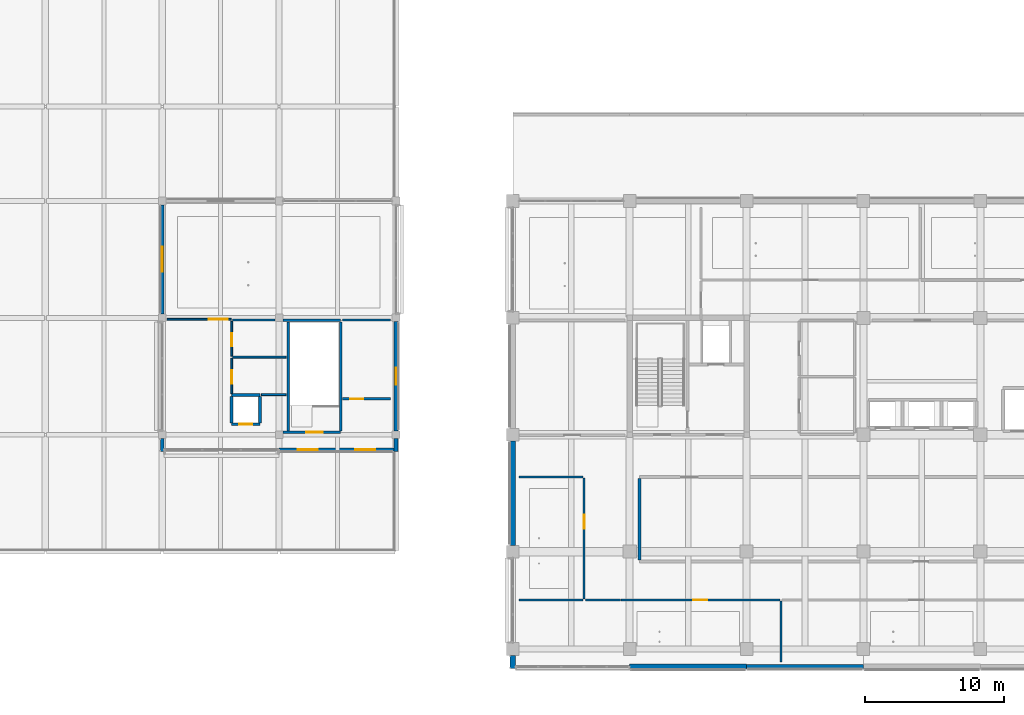
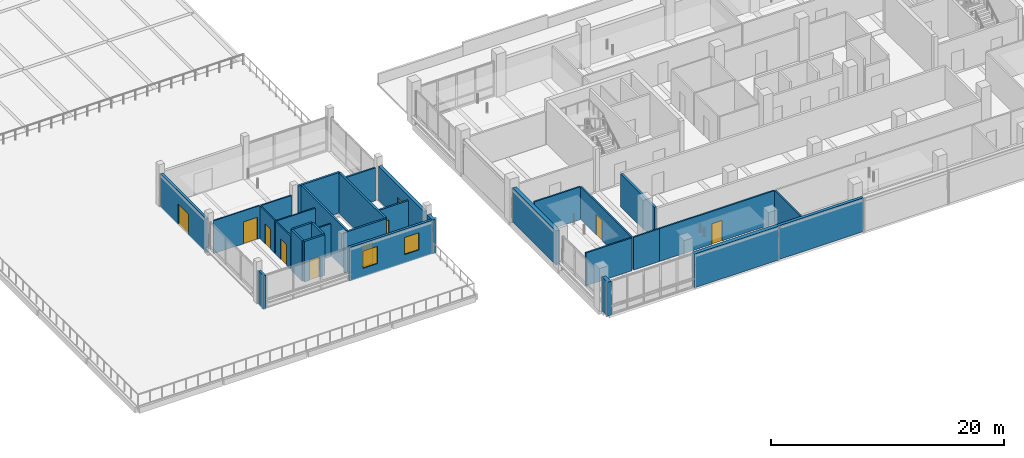
# One storey, part 20 of 59: 32 walls, 9 doors, 3 windows, 12 openings.
"""IFC4 building model written with IfcOpenShell, lengths in metres."""

from ifc_helpers import new_model, si_unit, direction, frame, frame_2d, origin, place, context, subcontext, project, spatial, rectangle, extrude, material, layer, layer_set, type_object, element, fill, save


model = new_model("IFC4")

# Units and contexts
model_context = context("Model", 3, precision=1e-05, world=origin(), true_north=direction((0.0, 1.0)))
body_context = subcontext(model_context, "Body", "Model", "MODEL_VIEW")
ifc_project = project(units=[si_unit("LENGTHUNIT", "METRE"), si_unit("AREAUNIT", "SQUARE_METRE"), si_unit("VOLUMEUNIT", "CUBIC_METRE"), si_unit("PLANEANGLEUNIT", "RADIAN"), si_unit("MASSUNIT", "GRAM", prefix="KILO")], contexts=[model_context])

# Site, building, storey
site_placement = place(None, origin())
site = spatial("IfcSite", under=ifc_project, at=site_placement, CompositionType="ELEMENT")
building_placement = place(site_placement, origin())
building = spatial("IfcBuilding", under=site, at=building_placement, Name="Telukmera Botanical Conservatory", CompositionType="ELEMENT")
storey_placement = place(building_placement, frame((0.0, 0.0, 15.0)))
storey = spatial("IfcBuildingStorey", under=building, at=storey_placement, Name="L03", CompositionType="ELEMENT", Elevation=15.0)

# Wall
ifc_material_1 = material(Name="Precast concrete C40/50", Category="concrete")
ifc_layer_1 = layer(ifc_material_1, 0.239990234375)
ifc_layer_set_1 = layer_set([ifc_layer_1], Name="Precast concrete C40/50")
wall_type_1 = type_object("IfcWallType", Name="Exterior Colonnade Recessed Precast Wall 240", PredefinedType="SOLIDWALL", material=ifc_layer_set_1)
wall_1_placement = place(storey_placement, frame((25.199951171875, 24.800048828125, 0.0), z_axis=(0.0, 0.0, 1.0), x_axis=(0.0, 1.0, 0.0)))
element("IfcWall", 1, at=wall_1_placement, inside=storey, type_object=wall_type_1, Name="Exterior Precast Wall EW05 V3:L03:SWC", PredefinedType="SOLIDWALL", context=body_context, shape_type="SweptSolid", body=[
    extrude(rectangle(XDim=0.9228515625, YDim=0.239990234375, at=frame_2d((0.46142578125, 0.0))), origin(), (0.0, 0.0, 1.0), 3.550048828125),
])

# Wall, openings, windows
wall_2_placement = place(storey_placement, frame((33.60205078125, 24.919921875, 0.0), z_axis=(0.0, 0.0, 1.0), x_axis=(1.0, 0.0, 0.0)))
wall_2 = element("IfcWall", 2, at=wall_2_placement, inside=storey, type_object=wall_type_1, Name="Exterior Precast Wall EW05 V3:L03:S2", PredefinedType="SOLIDWALL", context=body_context, shape_type="SweptSolid", body=[
    extrude(rectangle(XDim=8.245849609375, YDim=0.239990234375, at=frame_2d((4.123046875, 0.0))), origin(), (0.0, 0.0, 1.0), 3.550048828125),
])
opening_1_placement = place(wall_2_placement, frame((1.33642578125, 0.0, 0.89990234375)))
opening_1 = element("IfcOpeningElement", 3, at=opening_1_placement, cuts=wall_2, Name="Opening W09", PredefinedType="OPENING", context=body_context, shape_type="SweptSolid", body=[
    extrude(rectangle(XDim=1.449951171875, YDim=1.800048828125, at=frame_2d((0.72509765625, 0.89990234375))), frame((0.0, 0.1298828125, 0.0), z_axis=(0.0, -1.0, 0.0), x_axis=(1.0, 0.0, 0.0)), (0.0, 0.0, 1.0), 0.260009765625),
])
opening_2_placement = place(wall_2_placement, frame((5.45947265625, 0.0, 0.89990234375)))
opening_2 = element("IfcOpeningElement", 4, at=opening_2_placement, cuts=wall_2, Name="Opening W09", PredefinedType="OPENING", context=body_context, shape_type="SweptSolid", body=[
    extrude(rectangle(XDim=1.449951171875, YDim=1.800048828125, at=frame_2d((0.72509765625, 0.89990234375))), frame((0.0, 0.1298828125, 0.0), z_axis=(0.0, -1.0, 0.0), x_axis=(1.0, 0.0, 0.0)), (0.0, 0.0, 1.0), 0.260009765625),
])
ifc_material_2 = material(Name="Thermally broken anodised aluminium frame with low-E double glazing", Category="aluminium")
window_type_1 = type_object("IfcWindowType", Name="Double Horizontal Transom Studio Window 1450x1800", PartitioningType="DOUBLE_PANEL_HORIZONTAL", PredefinedType="WINDOW", material=ifc_material_2)
window_1_placement = place(opening_1_placement, origin())
window_1 = element("IfcWindow", 5, at=window_1_placement, inside=storey, type_object=window_type_1, Name="Facade Window W09 V3:L03:S2 1", OverallHeight=1.800048828125, OverallWidth=1.449951171875, PartitioningType="DOUBLE_PANEL_HORIZONTAL", PredefinedType="WINDOW", context=body_context, shape_type="SweptSolid", body=[
    extrude(rectangle(XDim=1.449951171875, YDim=1.800048828125, at=frame_2d((0.72509765625, 0.89990234375))), frame((0.0, 0.030029296875, 0.0), z_axis=(0.0, -1.0, 0.0), x_axis=(1.0, 0.0, 0.0)), (0.0, 0.0, 1.0), 0.06005859375),
])
fill(opening_1, window_1)
window_2_placement = place(opening_2_placement, origin())
window_2 = element("IfcWindow", 6, at=window_2_placement, inside=storey, type_object=window_type_1, Name="Facade Window W09 V3:L03:S2 2", OverallHeight=1.800048828125, OverallWidth=1.449951171875, PartitioningType="DOUBLE_PANEL_HORIZONTAL", PredefinedType="WINDOW", context=body_context, shape_type="SweptSolid", body=[
    extrude(rectangle(XDim=1.449951171875, YDim=1.800048828125, at=frame_2d((0.72509765625, 0.89990234375))), frame((0.0, 0.030029296875, 0.0), z_axis=(0.0, -1.0, 0.0), x_axis=(1.0, 0.0, 0.0)), (0.0, 0.0, 1.0), 0.06005859375),
])
fill(opening_2, window_2)

# Wall, opening, door
wall_3_placement = place(storey_placement, frame((25.199951171875, 34.677001953125, 0.0), z_axis=(0.0, 0.0, 1.0), x_axis=(0.0, 1.0, 0.0)))
wall_3 = element("IfcWall", 7, at=wall_3_placement, inside=storey, type_object=wall_type_1, Name="Exterior Precast Wall EW05 V3:L03:W2", PredefinedType="SOLIDWALL", context=body_context, shape_type="SweptSolid", body=[
    extrude(rectangle(XDim=7.845947265625, YDim=0.239990234375, at=frame_2d((3.9228515625, 0.0))), origin(), (0.0, 0.0, 1.0), 3.550048828125),
])
opening_3_placement = place(wall_3_placement, frame((3.02294921875, 0.0, 0.0)))
opening_3 = element("IfcOpeningElement", 8, at=opening_3_placement, cuts=wall_3, Name="Opening DT301", PredefinedType="OPENING", context=body_context, shape_type="SweptSolid", body=[
    extrude(rectangle(XDim=1.800048828125, YDim=2.199951171875, at=frame_2d((0.89990234375, 1.10009765625))), frame((0.0, 0.1298828125, 0.0), z_axis=(0.0, -1.0, 0.0), x_axis=(1.0, 0.0, 0.0)), (0.0, 0.0, 1.0), 0.260009765625),
])
ifc_material_3 = material(Name="Thermally broken anodised aluminium glazed door assembly", Category="aluminium")
door_type_1 = type_object("IfcDoorType", Name="Visitor Lounge West Planted Terrace Glazed Door 1800x2200", OperationType="NOTDEFINED", PredefinedType="DOOR", material=ifc_material_3)
door_1_placement = place(opening_3_placement, origin())
door_1 = element("IfcDoor", 9, at=door_1_placement, inside=storey, type_object=door_type_1, Name="Exterior Door DT301", OperationType="DOUBLE_DOOR_SINGLE_SWING", OverallHeight=2.199951171875, OverallWidth=1.800048828125, PredefinedType="DOOR", context=body_context, shape_type="SweptSolid", body=[
    extrude(rectangle(XDim=1.800048828125, YDim=2.199951171875, at=frame_2d((0.89990234375, 1.10009765625))), frame((0.0, 0.02490234375, 0.0), z_axis=(0.0, -1.0, 0.0), x_axis=(1.0, 0.0, 0.0)), (0.0, 0.0, 1.0), 0.050048828125),
])
fill(opening_3, door_1)

# Walls
ifc_material_4 = material(Name="Terracotta-faced precast concrete C40/50", Category="masonry")
ifc_layer_2 = layer(ifc_material_4, 0.3798828125)
ifc_layer_set_2 = layer_set([ifc_layer_2], Name="Terracotta-faced precast concrete C40/50")
wall_type_2 = type_object("IfcWallType", Name="Exterior Herbarium Vault Insulated Precast Wall 380", PredefinedType="SOLIDWALL", material=ifc_layer_set_2)
wall_4_placement = place(storey_placement, frame((50.39990234375, 9.199951171875, 0.0), z_axis=(0.0, 0.0, 1.0), x_axis=(0.0, 1.0, 0.0)))
element("IfcWall", 10, at=wall_4_placement, inside=storey, type_object=wall_type_2, Name="Exterior Precast Wall EW04 V4:L03:SWC", PredefinedType="SOLIDWALL", context=body_context, shape_type="SweptSolid", body=[
    extrude(rectangle(XDim=0.947998046875, YDim=0.3798828125, at=frame_2d((0.47412109375, 0.0))), origin(), (0.0, 0.0, 1.0), 3.550048828125),
])
wall_5_placement = place(storey_placement, frame((58.802001953125, 9.320068359375, 0.0), z_axis=(0.0, 0.0, 1.0), x_axis=(1.0, 0.0, 0.0)))
element("IfcWall", 11, at=wall_5_placement, inside=storey, type_object=wall_type_2, Name="Exterior Precast Wall EW04 V4:L03:S2", PredefinedType="SOLIDWALL", context=body_context, shape_type="SweptSolid", body=[
    extrude(rectangle(XDim=8.39599609375, YDim=0.3798828125, at=frame_2d((4.197998046875, 0.0))), origin(), (0.0, 0.0, 1.0), 3.550048828125),
])
wall_6_placement = place(storey_placement, frame((50.39990234375, 18.052001953125, 0.0), z_axis=(0.0, 0.0, 1.0), x_axis=(0.0, 1.0, 0.0)))
element("IfcWall", 12, at=wall_6_placement, inside=storey, type_object=wall_type_2, Name="Exterior Precast Wall EW04 V4:L03:W2", PredefinedType="SOLIDWALL", context=body_context, shape_type="SweptSolid", body=[
    extrude(rectangle(XDim=7.49609375, YDim=0.3798828125, at=frame_2d((3.748046875, 0.0))), origin(), (0.0, 0.0, 1.0), 3.550048828125),
])
ifc_layer_3 = layer(ifc_material_4, 0.300048828125)
ifc_layer_set_3 = layer_set([ifc_layer_3], Name="Terracotta-faced precast concrete C40/50")
wall_type_3 = type_object("IfcWallType", Name="Exterior Polychrome Terracotta Precast Wall 300", PredefinedType="SOLIDWALL", material=ifc_layer_set_3)
wall_7_placement = place(storey_placement, frame((42.0, 24.800048828125, 0.0), z_axis=(0.0, 0.0, 1.0), x_axis=(0.0, 1.0, 0.0)))
element("IfcWall", 13, at=wall_7_placement, inside=storey, type_object=wall_type_3, Name="Exterior Precast Wall EW02 V3:L03:SEC", PredefinedType="SOLIDWALL", context=body_context, shape_type="SweptSolid", body=[
    extrude(rectangle(XDim=0.9228515625, YDim=0.300048828125, at=frame_2d((0.46142578125, 0.0))), origin(), (0.0, 0.0, 1.0), 3.550048828125),
])

# Wall, opening, window
wall_8_placement = place(storey_placement, frame((42.0, 26.277099609375, 0.0), z_axis=(0.0, 0.0, 1.0), x_axis=(0.0, 1.0, 0.0)))
wall_8 = element("IfcWall", 14, at=wall_8_placement, inside=storey, type_object=wall_type_3, Name="Exterior Precast Wall EW02 V3:L03:E1", PredefinedType="SOLIDWALL", context=body_context, shape_type="SweptSolid", body=[
    extrude(rectangle(XDim=7.845947265625, YDim=0.300048828125, at=frame_2d((3.9228515625, 0.0))), origin(), (0.0, 0.0, 1.0), 3.550048828125),
])
opening_4_placement = place(wall_8_placement, frame((3.322998046875, 0.0, 1.10009765625)))
opening_4 = element("IfcOpeningElement", 15, at=opening_4_placement, cuts=wall_8, Name="Opening W03", PredefinedType="OPENING", context=body_context, shape_type="SweptSolid", body=[
    extrude(rectangle(XDim=1.199951171875, YDim=1.199951171875, at=frame_2d((0.60009765625, 0.60009765625))), frame((0.0, 0.159912109375, 0.0), z_axis=(0.0, -1.0, 0.0), x_axis=(1.0, 0.0, 0.0)), (0.0, 0.0, 1.0), 0.320068359375),
])
window_type_2 = type_object("IfcWindowType", Name="Postmodern Square Ocular Feature Window 1200x1200", PartitioningType="SINGLE_PANEL", PredefinedType="WINDOW", material=ifc_material_2)
window_3_placement = place(opening_4_placement, origin())
window_3 = element("IfcWindow", 16, at=window_3_placement, inside=storey, type_object=window_type_2, Name="Facade Window W03 V3:L03:E1", OverallHeight=1.199951171875, OverallWidth=1.199951171875, PartitioningType="SINGLE_PANEL", PredefinedType="WINDOW", context=body_context, shape_type="SweptSolid", body=[
    extrude(rectangle(XDim=1.199951171875, YDim=1.199951171875, at=frame_2d((0.60009765625, 0.60009765625))), frame((0.0, 0.030029296875, 0.0), z_axis=(0.0, -1.0, 0.0), x_axis=(1.0, 0.0, 0.0)), (0.0, 0.0, 1.0), 0.06005859375),
])
fill(opening_4, window_3)

# Wall
wall_9_placement = place(storey_placement, frame((67.201904296875, 9.320068359375, 0.0), z_axis=(0.0, 0.0, 1.0), x_axis=(1.0, 0.0, 0.0)))
element("IfcWall", 17, at=wall_9_placement, inside=storey, type_object=wall_type_3, Name="Exterior Precast Wall EW02 V4:L03:S3", PredefinedType="SOLIDWALL", context=body_context, shape_type="SweptSolid", body=[
    extrude(rectangle(XDim=8.39599609375, YDim=0.300048828125, at=frame_2d((4.197998046875, 0.0))), origin(), (0.0, 0.0, 1.0), 3.550048828125),
])

# Wall, opening, door
ifc_material_5 = material(Name="Concrete C40/50", Category="concrete")
ifc_layer_4 = layer(ifc_material_5, 0.199951171875)
ifc_layer_set_4 = layer_set([ifc_layer_4], Name="Concrete C40/50")
wall_type_4 = type_object("IfcWallType", Name="WT-CORE-200", PredefinedType="SOLIDWALL", material=ifc_layer_set_4)
wall_10_placement = place(storey_placement, frame((30.179931640625, 26.75, 0.0), z_axis=(0.0, 0.0, 1.0), x_axis=(1.0, 0.0, 0.0)))
wall_10 = element("IfcWall", 18, at=wall_10_placement, inside=storey, type_object=wall_type_4, Name="L03 Lift VL1 Front Wall", PredefinedType="SOLIDWALL", context=body_context, shape_type="SweptSolid", body=[
    extrude(rectangle(XDim=2.0400390625, YDim=0.199951171875, at=frame_2d((1.02001953125, 0.0))), origin(), (0.0, 0.0, 1.0), 4.25),
])
opening_5_placement = place(wall_10_placement, frame((0.544921875, 0.0, 0.0)))
opening_5 = element("IfcOpeningElement", 19, at=opening_5_placement, cuts=wall_10, Name="Opening LD04", PredefinedType="OPENING", context=body_context, shape_type="SweptSolid", body=[
    extrude(rectangle(XDim=0.949951171875, YDim=2.14990234375, at=frame_2d((0.47509765625, 1.074951171875))), frame((0.0, 0.10986328125, 0.0), z_axis=(0.0, -1.0, 0.0), x_axis=(1.0, 0.0, 0.0)), (0.0, 0.0, 1.0), 0.219970703125),
])
ifc_material_6 = material(Name="Anodised aluminium and glass", Category="aluminium")
door_type_2 = type_object("IfcDoorType", Name="DT-LD04", OperationType="SLIDING_TO_LEFT", PredefinedType="DOOR", material=ifc_material_6)
door_2_placement = place(opening_5_placement, frame((0.949951171875, 0.0, 0.0), z_axis=(0.0, 0.0, 1.0), x_axis=(-1.0, 0.0, 0.0)))
door_2 = element("IfcDoor", 20, at=door_2_placement, inside=storey, type_object=door_type_2, Name="L03 Lift Landing Door VL1", OperationType="SLIDING_TO_LEFT", OverallHeight=2.14990234375, OverallWidth=0.949951171875, PredefinedType="DOOR", context=body_context, shape_type="SweptSolid", body=[
    extrude(rectangle(XDim=0.949951171875, YDim=2.14990234375, at=frame_2d((0.47509765625, 1.074951171875))), frame((0.0, 0.02490234375, 0.0), z_axis=(0.0, -1.0, 0.0), x_axis=(1.0, 0.0, 0.0)), (0.0, 0.0, 1.0), 0.050048828125),
])
fill(opening_5, door_2)

# Walls
wall_11_placement = place(storey_placement, frame((30.179931640625, 28.85009765625, 0.0), z_axis=(0.0, 0.0, 1.0), x_axis=(1.0, 0.0, 0.0)))
element("IfcWall", 21, at=wall_11_placement, inside=storey, type_object=wall_type_4, Name="L03 Lift VL1 Rear Wall", PredefinedType="SOLIDWALL", context=body_context, shape_type="SweptSolid", body=[
    extrude(rectangle(XDim=2.0400390625, YDim=0.199951171875, at=frame_2d((1.02001953125, 0.0))), origin(), (0.0, 0.0, 1.0), 4.25),
])
for number, where, z_axis, x_axis, name in (
    (22, (30.179931640625, 26.85009765625, 0.0), (0.0, 0.0, 1.0), (0.0, 1.0, 0.0), "L03 Lift VL1 W Wall"),
    (23, (32.219970703125, 26.85009765625, 0.0), (0.0, 0.0, 1.0), (0.0, 1.0, 0.0), "L03 Lift VL1 E Wall"),
):
    element("IfcWall", number, at=place(storey_placement, frame(where, z_axis=z_axis, x_axis=x_axis)), inside=storey, type_object=wall_type_4, Name=name, PredefinedType="SOLIDWALL", context=body_context, shape_type="SweptSolid", body=[
        extrude(rectangle(XDim=1.89990234375, YDim=0.199951171875, at=frame_2d((0.949951171875, 0.0))), origin(), (0.0, 0.0, 1.0), 4.25),
    ])

# Wall, opening, door
ifc_material_7 = material(Name="Aluminium framed acoustic glass", Category="aluminium")
ifc_layer_5 = layer(ifc_material_7, 0.1201171875)
ifc_layer_set_5 = layer_set([ifc_layer_5], Name="Aluminium framed acoustic glass")
wall_type_5 = type_object("IfcWallType", Name="WT-GLAZ-120", PredefinedType="PARTITIONING", material=ifc_layer_set_5)
wall_12_placement = place(storey_placement, frame((25.550048828125, 34.300048828125, 0.0), z_axis=(0.0, 0.0, 1.0), x_axis=(1.0, 0.0, 0.0)))
wall_12 = element("IfcWall", 24, at=wall_12_placement, inside=storey, type_object=wall_type_5, Name="L03 Interior Partition 03", PredefinedType="PARTITIONING", context=body_context, shape_type="SweptSolid", body=[
    extrude(rectangle(XDim=4.599853515625, YDim=0.1201171875, at=frame_2d((2.2998046875, 0.0))), origin(), (0.0, 0.0, 1.0), 3.449951171875),
])
opening_6_placement = place(wall_12_placement, frame((2.989990234375, 0.0, 0.0)))
opening_6 = element("IfcOpeningElement", 25, at=opening_6_placement, cuts=wall_12, Name="Opening ID06", PredefinedType="OPENING", context=body_context, shape_type="SweptSolid", body=[
    extrude(rectangle(XDim=1.360107421875, YDim=2.300048828125, at=frame_2d((0.68017578125, 1.14990234375))), frame((0.0, 0.070068359375, 0.0), z_axis=(0.0, -1.0, 0.0), x_axis=(1.0, 0.0, 0.0)), (0.0, 0.0, 1.0), 0.14013671875),
])
ifc_material_8 = material(Name="Anodised aluminium glazed door", Category="aluminium")
door_type_3 = type_object("IfcDoorType", Name="DT-CAFE-136", OperationType="NOTDEFINED", PredefinedType="DOOR", material=ifc_material_8)
door_3_placement = place(opening_6_placement, origin())
door_3 = element("IfcDoor", 26, at=door_3_placement, inside=storey, type_object=door_type_3, Name="L03 Visitor Centre Terrace Lounge Door", OperationType="SINGLE_SWING_RIGHT", OverallHeight=2.300048828125, OverallWidth=1.360107421875, PredefinedType="DOOR", context=body_context, shape_type="SweptSolid", body=[
    extrude(rectangle(XDim=1.360107421875, YDim=2.300048828125, at=frame_2d((0.68017578125, 1.14990234375))), frame((0.0, 0.02490234375, 0.0), z_axis=(0.0, -1.0, 0.0), x_axis=(1.0, 0.0, 0.0)), (0.0, 0.0, 1.0), 0.050048828125),
])
fill(opening_6, door_3)

ifc_material_9 = material(Name="Blockwork masonry", Category="masonry")
ifc_layer_6 = layer(ifc_material_9, 0.169921875)
ifc_layer_set_6 = layer_set([ifc_layer_6], Name="Blockwork masonry")
wall_type_6 = type_object("IfcWallType", Name="WT-PLANT-170", PredefinedType="PARTITIONING", material=ifc_layer_set_6)
wall_13_placement = place(storey_placement, frame((38.14990234375, 28.574951171875, 0.0), z_axis=(0.0, 0.0, 1.0), x_axis=(1.0, 0.0, 0.0)))
wall_13 = element("IfcWall", 27, at=wall_13_placement, inside=storey, type_object=wall_type_6, Name="L03 Interior Partition 04", PredefinedType="PARTITIONING", context=body_context, shape_type="SweptSolid", body=[
    extrude(rectangle(XDim=3.4501953125, YDim=0.169921875, at=frame_2d((1.72509765625, 0.0))), origin(), (0.0, 0.0, 1.0), 3.449951171875),
])
opening_7_placement = place(wall_13_placement, frame((0.55908203125, 0.0, 0.0)))
opening_7 = element("IfcOpeningElement", 28, at=opening_7_placement, cuts=wall_13, Name="Opening ID16", PredefinedType="OPENING", context=body_context, shape_type="SweptSolid", body=[
    extrude(rectangle(XDim=0.93994140625, YDim=2.10009765625, at=frame_2d((0.469970703125, 1.050048828125))), frame((0.0, 0.094970703125, 0.0), z_axis=(0.0, -1.0, 0.0), x_axis=(1.0, 0.0, 0.0)), (0.0, 0.0, 1.0), 0.18994140625),
])
ifc_material_10 = material(Name="Steel utility store fire door", Category="steel")
door_type_4 = type_object("IfcDoorType", Name="DT-STR-094", OperationType="NOTDEFINED", PredefinedType="DOOR", material=ifc_material_10)
door_4_placement = place(opening_7_placement, origin())
door_4 = element("IfcDoor", 29, at=door_4_placement, inside=storey, type_object=door_type_4, Name="L03 Terrace Chair Store Door", OperationType="SINGLE_SWING_LEFT", OverallHeight=2.10009765625, OverallWidth=0.93994140625, PredefinedType="DOOR", context=body_context, shape_type="SweptSolid", body=[
    extrude(rectangle(XDim=0.93994140625, YDim=2.10009765625, at=frame_2d((0.469970703125, 1.050048828125))), frame((0.0, 0.02490234375, 0.0), z_axis=(0.0, -1.0, 0.0), x_axis=(1.0, 0.0, 0.0)), (0.0, 0.0, 1.0), 0.050048828125),
])
fill(opening_7, door_4)

# Wall
wall_14_placement = place(storey_placement, frame((38.14990234375, 34.25, 0.0), z_axis=(0.0, 0.0, 1.0), x_axis=(1.0, 0.0, 0.0)))
element("IfcWall", 30, at=wall_14_placement, inside=storey, type_object=wall_type_6, Name="L03 Interior Partition 07", PredefinedType="PARTITIONING", context=body_context, shape_type="SweptSolid", body=[
    extrude(rectangle(XDim=3.4501953125, YDim=0.169921875, at=frame_2d((1.72509765625, 0.0))), origin(), (0.0, 0.0, 1.0), 3.449951171875),
])

# Wall, opening, door
ifc_layer_7 = layer(ifc_material_5, 0.18994140625)
ifc_layer_set_7 = layer_set([ifc_layer_7], Name="Concrete C40/50")
wall_type_7 = type_object("IfcWallType", Name="WT-STAIR-190", PredefinedType="SOLIDWALL", material=ifc_layer_set_7)
wall_15_placement = place(storey_placement, frame((33.875, 26.179931640625, 0.0), z_axis=(0.0, 0.0, 1.0), x_axis=(1.0, 0.0, 0.0)))
wall_15 = element("IfcWall", 31, at=wall_15_placement, inside=storey, type_object=wall_type_7, Name="L03 Stair ST3 South Wall", PredefinedType="SOLIDWALL", context=body_context, shape_type="SweptSolid", body=[
    extrude(rectangle(XDim=4.155029296875, YDim=0.18994140625, at=frame_2d((2.07763671875, 0.0))), origin(), (0.0, 0.0, 1.0), 4.25),
])
opening_8_placement = place(wall_15_placement, frame((1.675048828125, 0.0, 0.0)))
opening_8 = element("IfcOpeningElement", 32, at=opening_8_placement, cuts=wall_15, Name="Opening FD60D", PredefinedType="OPENING", context=body_context, shape_type="SweptSolid", body=[
    extrude(rectangle(XDim=1.179931640625, YDim=2.14990234375, at=frame_2d((0.58984375, 1.074951171875))), frame((0.0, 0.10498046875, 0.0), z_axis=(0.0, -1.0, 0.0), x_axis=(1.0, 0.0, 0.0)), (0.0, 0.0, 1.0), 0.2099609375),
])
ifc_material_11 = material(Name="Hardwood fire door", Category="wood")
door_type_5 = type_object("IfcDoorType", Name="DT-FD60-04", OperationType="NOTDEFINED", PredefinedType="DOOR", material=ifc_material_11)
door_5_placement = place(opening_8_placement, origin())
door_5 = element("IfcDoor", 33, at=door_5_placement, inside=storey, type_object=door_type_5, Name="L03 Stair ST3 Escape Door", OperationType="SINGLE_SWING_RIGHT", OverallHeight=2.14990234375, OverallWidth=1.179931640625, PredefinedType="DOOR", context=body_context, shape_type="SweptSolid", body=[
    extrude(rectangle(XDim=1.179931640625, YDim=2.14990234375, at=frame_2d((0.58984375, 1.074951171875))), frame((0.0, 0.02490234375, 0.0), z_axis=(0.0, -1.0, 0.0), x_axis=(1.0, 0.0, 0.0)), (0.0, 0.0, 1.0), 0.050048828125),
])
fill(opening_8, door_5)

# Walls
wall_16_placement = place(storey_placement, frame((33.875, 34.219970703125, 0.0), z_axis=(0.0, 0.0, 1.0), x_axis=(1.0, 0.0, 0.0)))
element("IfcWall", 34, at=wall_16_placement, inside=storey, type_object=wall_type_7, Name="L03 Stair ST3 North Wall", PredefinedType="SOLIDWALL", context=body_context, shape_type="SweptSolid", body=[
    extrude(rectangle(XDim=4.155029296875, YDim=0.18994140625, at=frame_2d((2.07763671875, 0.0))), origin(), (0.0, 0.0, 1.0), 4.25),
])
for number, where, z_axis, x_axis, name in (
    (35, (34.25, 26.280029296875, 0.0), (0.0, 0.0, 1.0), (0.0, 1.0, 0.0), "L03 Stair ST3 W Wall"),
    (36, (38.030029296875, 26.280029296875, 0.0), (0.0, 0.0, 1.0), (0.0, 1.0, 0.0), "L03 Stair ST3 E Wall"),
):
    element("IfcWall", number, at=place(storey_placement, frame(where, z_axis=z_axis, x_axis=x_axis)), inside=storey, type_object=wall_type_7, Name=name, PredefinedType="SOLIDWALL", context=body_context, shape_type="SweptSolid", body=[
        extrude(rectangle(XDim=7.840087890625, YDim=0.18994140625, at=frame_2d((3.919921875, 0.0))), origin(), (0.0, 0.0, 1.0), 4.25),
    ])
ifc_material_12 = material(Name="Gypsum acoustic stud partition")
ifc_layer_8 = layer(ifc_material_12, 0.14990234375)
ifc_layer_set_8 = layer_set([ifc_layer_8], Name="Gypsum acoustic stud partition")
wall_type_8 = type_object("IfcWallType", Name="WT-STD-150", PredefinedType="PARTITIONING", material=ifc_layer_set_8)
wall_17_placement = place(storey_placement, frame((50.85009765625, 22.97509765625, 0.0), z_axis=(0.0, 0.0, 1.0), x_axis=(1.0, 0.0, 0.0)))
element("IfcWall", 37, at=wall_17_placement, inside=storey, type_object=wall_type_8, Name="L03 Interior Partition 20", PredefinedType="PARTITIONING", context=body_context, shape_type="SweptSolid", body=[
    extrude(rectangle(XDim=4.599853515625, YDim=0.14990234375, at=frame_2d((2.2998046875, 0.0))), origin(), (0.0, 0.0, 1.0), 3.449951171875),
])

# Wall, opening, door
wall_18_placement = place(storey_placement, frame((55.52490234375, 14.199951171875, 0.0), z_axis=(0.0, 0.0, 1.0), x_axis=(0.0, 1.0, 0.0)))
wall_18 = element("IfcWall", 38, at=wall_18_placement, inside=storey, type_object=wall_type_8, Name="L03 Interior Partition 22", PredefinedType="PARTITIONING", context=body_context, shape_type="SweptSolid", body=[
    extrude(rectangle(XDim=8.68994140625, YDim=0.14990234375, at=frame_2d((4.344970703125, 0.0))), origin(), (0.0, 0.0, 1.0), 3.449951171875),
])
opening_9_placement = place(wall_18_placement, frame((5.043212890625, 0.0, 0.0)))
opening_9 = element("IfcOpeningElement", 39, at=opening_9_placement, cuts=wall_18, Name="Opening ID14", PredefinedType="OPENING", context=body_context, shape_type="SweptSolid", body=[
    extrude(rectangle(XDim=1.0, YDim=2.14990234375, at=frame_2d((0.5, 1.074951171875))), frame((0.0, 0.0849609375, 0.0), z_axis=(0.0, -1.0, 0.0), x_axis=(1.0, 0.0, 0.0)), (0.0, 0.0, 1.0), 0.169921875),
])
ifc_material_13 = material(Name="Acoustic timber office door", Category="wood")
door_type_6 = type_object("IfcDoorType", Name="DT-WRT-100", OperationType="NOTDEFINED", PredefinedType="DOOR", material=ifc_material_13)
door_6_placement = place(opening_9_placement, origin())
door_6 = element("IfcDoor", 40, at=door_6_placement, inside=storey, type_object=door_type_6, Name="L03 West Herbarium Curation Studio Door", OperationType="SINGLE_SWING_RIGHT", OverallHeight=2.14990234375, OverallWidth=1.0, PredefinedType="DOOR", context=body_context, shape_type="SweptSolid", body=[
    extrude(rectangle(XDim=1.0, YDim=2.14990234375, at=frame_2d((0.5, 1.074951171875))), frame((0.0, 0.02490234375, 0.0), z_axis=(0.0, -1.0, 0.0), x_axis=(1.0, 0.0, 0.0)), (0.0, 0.0, 1.0), 0.050048828125),
])
fill(opening_9, door_6)

# Wall
wall_19_placement = place(storey_placement, frame((55.610107421875, 14.125, 0.0), z_axis=(0.0, 0.0, 1.0), x_axis=(1.0, 0.0, 0.0)))
element("IfcWall", 41, at=wall_19_placement, inside=storey, type_object=wall_type_8, Name="L03 Interior Partition 23", PredefinedType="PARTITIONING", context=body_context, shape_type="SweptSolid", body=[
    extrude(rectangle(XDim=2.539794921875, YDim=0.14990234375, at=frame_2d((1.27001953125, 0.0))), origin(), (0.0, 0.0, 1.0), 3.449951171875),
])

# Wall, opening, door
wall_20_placement = place(storey_placement, frame((58.159912109375, 14.125, 0.0), z_axis=(0.0, 0.0, 1.0), x_axis=(1.0, 0.0, 0.0)))
wall_20 = element("IfcWall", 42, at=wall_20_placement, inside=storey, type_object=wall_type_8, Name="L03 Interior Partition 26", PredefinedType="PARTITIONING", context=body_context, shape_type="SweptSolid", body=[
    extrude(rectangle(XDim=11.440185546875, YDim=0.14990234375, at=frame_2d((5.72021484375, 0.0))), origin(), (0.0, 0.0, 1.0), 3.449951171875),
])
opening_10_placement = place(wall_20_placement, frame((5.219970703125, 0.0, 0.0)))
opening_10 = element("IfcOpeningElement", 43, at=opening_10_placement, cuts=wall_20, Name="Opening ID14", PredefinedType="OPENING", context=body_context, shape_type="SweptSolid", body=[
    extrude(rectangle(XDim=1.0, YDim=2.14990234375, at=frame_2d((0.5, 1.074951171875))), frame((0.0, 0.0849609375, 0.0), z_axis=(0.0, -1.0, 0.0), x_axis=(1.0, 0.0, 0.0)), (0.0, 0.0, 1.0), 0.169921875),
])
door_7_placement = place(opening_10_placement, frame((1.0, 0.0, 0.0), z_axis=(0.0, 0.0, 1.0), x_axis=(-1.0, 0.0, 0.0)))
door_7 = element("IfcDoor", 44, at=door_7_placement, inside=storey, type_object=door_type_6, Name="L03 Herbarium Curation Studio Door", OperationType="SINGLE_SWING_RIGHT", OverallHeight=2.14990234375, OverallWidth=1.0, PredefinedType="DOOR", context=body_context, shape_type="SweptSolid", body=[
    extrude(rectangle(XDim=1.0, YDim=2.14990234375, at=frame_2d((0.5, 1.074951171875))), frame((0.0, 0.02490234375, 0.0), z_axis=(0.0, -1.0, 0.0), x_axis=(1.0, 0.0, 0.0)), (0.0, 0.0, 1.0), 0.050048828125),
])
fill(opening_10, door_7)

# Walls
wall_21_placement = place(storey_placement, frame((50.85009765625, 14.125, 0.0), z_axis=(0.0, 0.0, 1.0), x_axis=(1.0, 0.0, 0.0)))
element("IfcWall", 45, at=wall_21_placement, inside=storey, type_object=wall_type_8, Name="L03 Interior Partition 29", PredefinedType="PARTITIONING", context=body_context, shape_type="SweptSolid", body=[
    extrude(rectangle(XDim=4.58984375, YDim=0.14990234375, at=frame_2d((2.294921875, 0.0))), origin(), (0.0, 0.0, 1.0), 3.449951171875),
])
wall_22_placement = place(storey_placement, frame((69.675048828125, 9.64990234375, 0.0), z_axis=(0.0, 0.0, 1.0), x_axis=(0.0, 1.0, 0.0)))
element("IfcWall", 46, at=wall_22_placement, inside=storey, type_object=wall_type_8, Name="L03 Interior Partition 31", PredefinedType="PARTITIONING", context=body_context, shape_type="SweptSolid", body=[
    extrude(rectangle(XDim=4.39013671875, YDim=0.14990234375, at=frame_2d((2.195068359375, 0.0))), origin(), (0.0, 0.0, 1.0), 3.449951171875),
])
ifc_layer_9 = layer(ifc_material_5, 0.219970703125)
ifc_layer_set_9 = layer_set([ifc_layer_9], Name="Concrete C40/50")
wall_type_9 = type_object("IfcWallType", Name="WT-VAULT-220", PredefinedType="SOLIDWALL", material=ifc_layer_set_9)
wall_23_placement = place(storey_placement, frame((59.5, 17.010009765625, 0.0), z_axis=(0.0, 0.0, 1.0), x_axis=(0.0, 1.0, 0.0)))
element("IfcWall", 47, at=wall_23_placement, inside=storey, type_object=wall_type_9, Name="L03 Herbarium Vault West 2hr Wall", PredefinedType="SOLIDWALL", context=body_context, shape_type="SweptSolid", body=[
    extrude(rectangle(XDim=5.830078125, YDim=0.219970703125, at=frame_2d((2.9150390625, 0.0))), origin(), (0.0, 0.0, 1.0), 3.449951171875),
])

# Wall, opening, door
ifc_material_14 = material(Name="Moisture-resistant blockwork", Category="masonry")
ifc_layer_10 = layer(ifc_material_14, 0.135009765625)
ifc_layer_set_10 = layer_set([ifc_layer_10], Name="Moisture-resistant blockwork")
wall_type_10 = type_object("IfcWallType", Name="WT-WC-135", PredefinedType="PARTITIONING", material=ifc_layer_set_10)
wall_24_placement = place(storey_placement, frame((30.199951171875, 28.949951171875, 0.0), z_axis=(0.0, 0.0, 1.0), x_axis=(0.0, 1.0, 0.0)))
wall_24 = element("IfcWall", 48, at=wall_24_placement, inside=storey, type_object=wall_type_10, Name="L03 Interior Partition 01", PredefinedType="PARTITIONING", context=body_context, shape_type="SweptSolid", body=[
    extrude(rectangle(XDim=2.550048828125, YDim=0.135009765625, at=frame_2d((1.27490234375, 0.0))), origin(), (0.0, 0.0, 1.0), 3.449951171875),
])
opening_11_placement = place(wall_24_placement, frame((0.70849609375, 0.0, 0.0)))
opening_11 = element("IfcOpeningElement", 49, at=opening_11_placement, cuts=wall_24, Name="Opening ID15", PredefinedType="OPENING", context=body_context, shape_type="SweptSolid", body=[
    extrude(rectangle(XDim=0.97998046875, YDim=2.14990234375, at=frame_2d((0.489990234375, 1.074951171875))), frame((0.0, 0.077392578125, 0.0), z_axis=(0.0, -1.0, 0.0), x_axis=(1.0, 0.0, 0.0)), (0.0, 0.0, 1.0), 0.155029296875),
])
ifc_material_15 = material(Name="Accessible sanitary laminate door")
door_type_7 = type_object("IfcDoorType", Name="DT-OKU-098", OperationType="NOTDEFINED", PredefinedType="DOOR", material=ifc_material_15)
door_8_placement = place(opening_11_placement, origin())
door_8 = element("IfcDoor", 50, at=door_8_placement, inside=storey, type_object=door_type_7, Name="L03 Accessible WC Door", OperationType="SINGLE_SWING_LEFT", OverallHeight=2.14990234375, OverallWidth=0.97998046875, PredefinedType="DOOR", context=body_context, shape_type="SweptSolid", body=[
    extrude(rectangle(XDim=0.97998046875, YDim=2.14990234375, at=frame_2d((0.489990234375, 1.074951171875))), frame((0.0, 0.02490234375, 0.0), z_axis=(0.0, -1.0, 0.0), x_axis=(1.0, 0.0, 0.0)), (0.0, 0.0, 1.0), 0.050048828125),
])
fill(opening_11, door_8)

wall_25_placement = place(storey_placement, frame((30.199951171875, 31.64990234375, 0.0), z_axis=(0.0, 0.0, 1.0), x_axis=(0.0, 1.0, 0.0)))
wall_25 = element("IfcWall", 51, at=wall_25_placement, inside=storey, type_object=wall_type_10, Name="L03 Interior Partition 02", PredefinedType="PARTITIONING", context=body_context, shape_type="SweptSolid", body=[
    extrude(rectangle(XDim=2.5, YDim=0.135009765625, at=frame_2d((1.25, 0.0))), origin(), (0.0, 0.0, 1.0), 3.449951171875),
])
opening_12_placement = place(wall_25_placement, frame((0.712890625, 0.0, 0.0)))
opening_12 = element("IfcOpeningElement", 52, at=opening_12_placement, cuts=wall_25, Name="Opening ID17", PredefinedType="OPENING", context=body_context, shape_type="SweptSolid", body=[
    extrude(rectangle(XDim=0.919921875, YDim=2.1201171875, at=frame_2d((0.4599609375, 1.06005859375))), frame((0.0, 0.077392578125, 0.0), z_axis=(0.0, -1.0, 0.0), x_axis=(1.0, 0.0, 0.0)), (0.0, 0.0, 1.0), 0.155029296875),
])
ifc_material_16 = material(Name="Moisture-resistant laminate WC door")
door_type_8 = type_object("IfcDoorType", Name="DT-WC-092", OperationType="NOTDEFINED", PredefinedType="DOOR", material=ifc_material_16)
door_9_placement = place(opening_12_placement, origin())
door_9 = element("IfcDoor", 53, at=door_9_placement, inside=storey, type_object=door_type_8, Name="L03 Public WC Door", OperationType="SINGLE_SWING_RIGHT", OverallHeight=2.1201171875, OverallWidth=0.919921875, PredefinedType="DOOR", context=body_context, shape_type="SweptSolid", body=[
    extrude(rectangle(XDim=0.919921875, YDim=2.1201171875, at=frame_2d((0.4599609375, 1.06005859375))), frame((0.0, 0.02490234375, 0.0), z_axis=(0.0, -1.0, 0.0), x_axis=(1.0, 0.0, 0.0)), (0.0, 0.0, 1.0), 0.050048828125),
])
fill(opening_12, door_9)

# Walls
wall_26_placement = place(storey_placement, frame((30.25, 31.574951171875, 0.0), z_axis=(0.0, 0.0, 1.0), x_axis=(1.0, 0.0, 0.0)))
element("IfcWall", 54, at=wall_26_placement, inside=storey, type_object=wall_type_10, Name="L03 Interior Partition 05", PredefinedType="PARTITIONING", context=body_context, shape_type="SweptSolid", body=[
    extrude(rectangle(XDim=3.85009765625, YDim=0.135009765625, at=frame_2d((1.925048828125, 0.0))), origin(), (0.0, 0.0, 1.0), 3.449951171875),
])
wall_27_placement = place(storey_placement, frame((30.25, 34.25, 0.0), z_axis=(0.0, 0.0, 1.0), x_axis=(1.0, 0.0, 0.0)))
element("IfcWall", 55, at=wall_27_placement, inside=storey, type_object=wall_type_10, Name="L03 Interior Partition 06", PredefinedType="PARTITIONING", context=body_context, shape_type="SweptSolid", body=[
    extrude(rectangle(XDim=3.044921875, YDim=0.135009765625, at=frame_2d((1.5224609375, 0.0))), origin(), (0.0, 0.0, 1.0), 3.449951171875),
])
wall_28_placement = place(storey_placement, frame((32.320068359375, 28.882568359375, 0.0), z_axis=(0.0, 0.0, 1.0), x_axis=(1.0, 0.0, 0.0)))
element("IfcWall", 56, at=wall_28_placement, inside=storey, type_object=wall_type_10, Name="L03 WC Enclosure Partition 01", PredefinedType="PARTITIONING", context=body_context, shape_type="SweptSolid", body=[
    extrude(rectangle(XDim=1.780029296875, YDim=0.135009765625, at=frame_2d((0.89013671875, 0.0))), origin(), (0.0, 0.0, 1.0), 3.449951171875),
])

save(model, "model.ifc")
